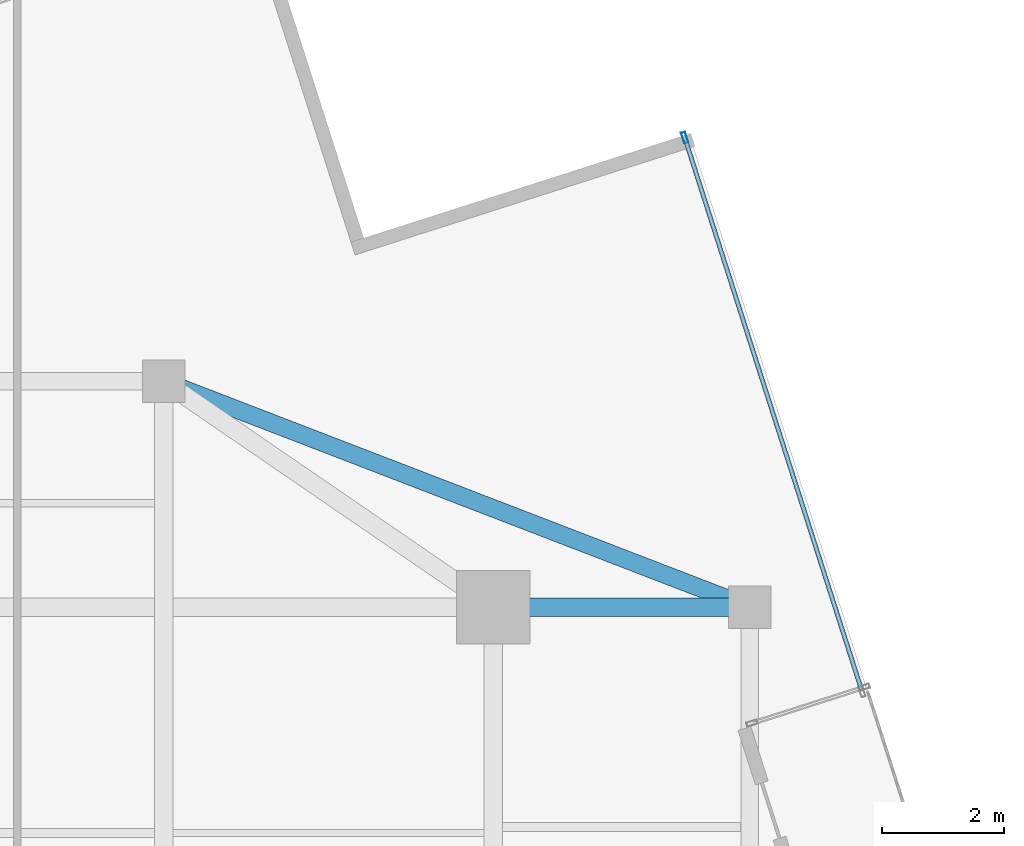
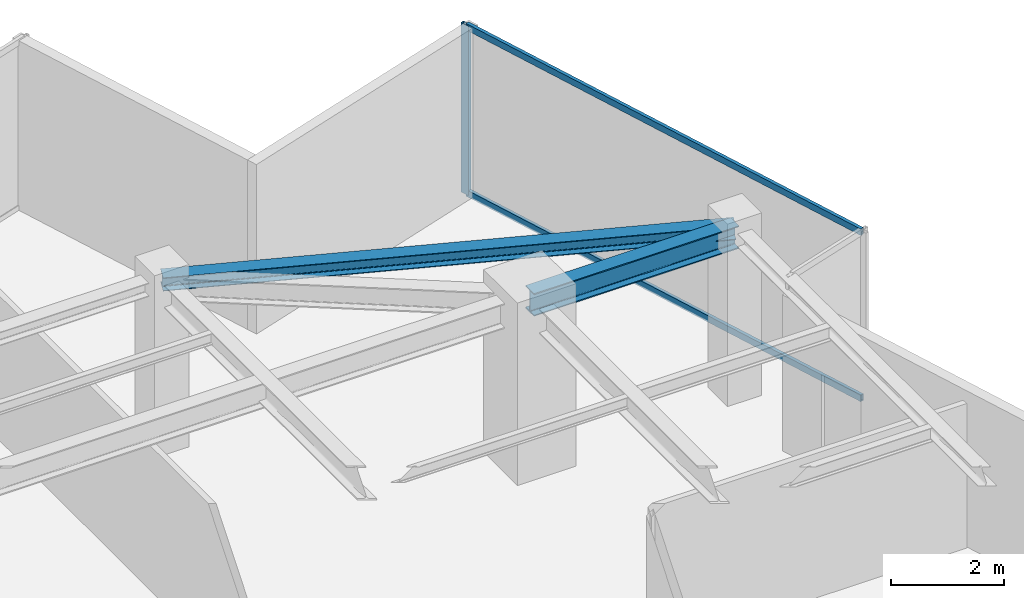
# One storey, part 16 of 21: 3 members, 2 beams, 1 element without a shape of its own.
"""IFC4 building model written with IfcOpenShell, lengths in metres."""

import ifcopenshell
import ifcopenshell.guid

model = None  # the IFC model being written
_history = None  # IfcOwnerHistory: only IFC2X3 demands one
_inside = {}  # id of a spatial element -> (the spatial element, [elements in it])
_under = {}  # id of a project, library or spatial element -> (it, [spatial elements below it])
_declared = {}  # id of a project -> (the project, [libraries it declares])
_typed = {}  # id of a type object -> (the type object, [elements of that type])
_made_of = {}  # id of a material, layer set ... -> (it, [elements and type objects made of it])


def new_model(schema):
    """Start an empty IFC model of exactly this schema.

    Asked for "IFC4X3", IfcOpenShell would pick the latest addendum, in which some entities
    have other attributes; the version numbers below select the first issue.
    IFC2X3 requires an IfcOwnerHistory on every rooted entity: one is made here for all.
    """
    global model, _history
    if schema == "IFC4X3":
        model = ifcopenshell.file(schema_version=(4, 3, 0, 0))
    else:
        model = ifcopenshell.file(schema=schema)
    _inside.clear()
    _under.clear()
    _declared.clear()
    _typed.clear()
    _made_of.clear()
    _history = None
    if model.schema == "IFC2X3":
        org = make("IfcOrganization", Name="unknown")
        user = make(
            "IfcPersonAndOrganization",
            ThePerson=make("IfcPerson", FamilyName="unknown"),
            TheOrganization=org,
        )
        app = make(
            "IfcApplication",
            ApplicationDeveloper=org,
            Version="unknown",
            ApplicationFullName="unknown",
            ApplicationIdentifier="unknown",
        )
        _history = make(
            "IfcOwnerHistory",
            OwningUser=user,
            OwningApplication=app,
            ChangeAction="ADDED",
            CreationDate=0,
        )
    return model


def make(cls, **values):
    """One entity of the class cls with the attributes given. An attribute that is None is left unset."""
    return model.create_entity(
        cls, **{name: value for name, value in values.items() if value is not None}
    )


def rooted(cls, **values):
    """An entity with a GlobalId (a new one), such as an element, a storey or a relation."""
    return make(cls, GlobalId=ifcopenshell.guid.new(), OwnerHistory=_history, **values)


def si_unit(unit_type, name, prefix=None):
    """IfcSIUnit, for example si_unit("LENGTHUNIT", "METRE", prefix="MILLI")."""
    return make("IfcSIUnit", UnitType=unit_type, Prefix=prefix, Name=name)


def assignment(units):
    """IfcUnitAssignment: the units of a project."""
    return None if units is None else make("IfcUnitAssignment", Units=units)


def point(xyz):
    """IfcCartesianPoint."""
    return None if xyz is None else make("IfcCartesianPoint", Coordinates=xyz)


def direction(xyz):
    """IfcDirection."""
    return None if xyz is None else make("IfcDirection", DirectionRatios=xyz)


def frame(location, z_axis=None, x_axis=None):
    """IfcAxis2Placement3D, a coordinate frame: its origin and axes. An axis left out is left unset."""
    return make(
        "IfcAxis2Placement3D",
        Location=point(location),
        Axis=direction(z_axis),
        RefDirection=direction(x_axis),
    )


def frame_2d(location, x_axis=None):
    """IfcAxis2Placement2D, a coordinate frame in the plane: its origin and x axis."""
    return make(
        "IfcAxis2Placement2D", Location=point(location), RefDirection=direction(x_axis)
    )


def origin():
    """The frame at (0, 0, 0) with its axes left unset."""
    return frame((0.0, 0.0, 0.0))


def origin_2d():
    """The frame at (0, 0) in the plane with its x axis left unset."""
    return frame_2d((0.0, 0.0))


def place(relative_to, where):
    """IfcLocalPlacement: puts the frame where relative to a parent placement (None: the world)."""
    return make(
        "IfcLocalPlacement", PlacementRelTo=relative_to, RelativePlacement=where
    )


def context(
    kind, dimensions, precision=None, world=None, true_north=None, identifier=None
):
    """IfcGeometricRepresentationContext, for example the 3D "Model" context."""
    return make(
        "IfcGeometricRepresentationContext",
        ContextIdentifier=identifier,
        ContextType=kind,
        CoordinateSpaceDimension=dimensions,
        Precision=precision,
        WorldCoordinateSystem=world,
        TrueNorth=true_north,
    )


def subcontext(parent, identifier, kind, view, scale=None):
    """IfcGeometricRepresentationSubContext, for example "Body" below "Model"."""
    return make(
        "IfcGeometricRepresentationSubContext",
        ContextIdentifier=identifier,
        ContextType=kind,
        ParentContext=parent,
        TargetScale=scale,
        TargetView=view,
    )


def project(units=None, contexts=None):
    """IfcProject with its units and contexts."""
    return rooted(
        "IfcProject",
        Name="project",
        RepresentationContexts=contexts,
        UnitsInContext=assignment(units),
    )


def spatial(cls, under=None, at=None, **own):
    """A site, building, storey or space (cls), placed at a placement, below another one or the project."""
    s = rooted(cls, ObjectPlacement=at, **own)
    if under is not None:
        _under.setdefault(under.id(), (under, []))[1].append(s)
    return s


def profile(cls, at=None, kind="AREA", **sizes):
    """A parametric profile (cls). Its sizes go by their IFC names, for example OverallWidth=200.0."""
    return make(cls, ProfileType=kind, Position=at, **sizes)


def hollow_rectangle(**sizes):
    """IfcRectangleHollowProfileDef."""
    return profile("IfcRectangleHollowProfileDef", **sizes)


def i_section(**sizes):
    """IfcIShapeProfileDef."""
    return profile("IfcIShapeProfileDef", **sizes)


def extrude(swept, where, along, depth):
    """IfcExtrudedAreaSolid: the profile swept, set in the frame where, extruded along a direction by depth."""
    return make(
        "IfcExtrudedAreaSolid",
        SweptArea=swept,
        Position=where,
        ExtrudedDirection=direction(along),
        Depth=depth,
    )


def shape(context_of_items, identifier, shape_type, items):
    """IfcShapeRepresentation: the items that make up one representation, for example the "Body"."""
    return make(
        "IfcShapeRepresentation",
        ContextOfItems=context_of_items,
        RepresentationIdentifier=identifier,
        RepresentationType=shape_type,
        Items=items,
    )


def source(mapping_origin, context_of_items, identifier, shape_type, items):
    """IfcRepresentationMap: a shape defined once, which mapped items show again and again."""
    return make(
        "IfcRepresentationMap",
        MappingOrigin=mapping_origin,
        MappedRepresentation=shape(context_of_items, identifier, shape_type, items),
    )


def transform(
    local_origin,
    x_axis=None,
    y_axis=None,
    z_axis=None,
    scale=None,
    scale2=None,
    scale3=None,
    uniform=True,
):
    """IfcCartesianTransformationOperator3D, or its non-uniform kind. x_axis, y_axis, z_axis: its Axis1, 2, 3."""
    if uniform:
        return make(
            "IfcCartesianTransformationOperator3D",
            Axis1=direction(x_axis),
            Axis2=direction(y_axis),
            LocalOrigin=point(local_origin),
            Scale=scale,
            Axis3=direction(z_axis),
        )
    return make(
        "IfcCartesianTransformationOperator3DnonUniform",
        Axis1=direction(x_axis),
        Axis2=direction(y_axis),
        LocalOrigin=point(local_origin),
        Scale=scale,
        Axis3=direction(z_axis),
        Scale2=scale2,
        Scale3=scale3,
    )


def mapped(mapping_source, mapping_target):
    """IfcMappedItem: shows the shape of a source again, moved by a transform."""
    return make(
        "IfcMappedItem", MappingSource=mapping_source, MappingTarget=mapping_target
    )


def material(Name=None, Category=None):
    """IfcMaterial."""
    return make("IfcMaterial", Name=Name, Category=Category)


def material_profile(
    of_material, cross_section, Name=None, Category=None, Priority=None
):
    """IfcMaterialProfile: a cross section and its material."""
    return make(
        "IfcMaterialProfile",
        Name=Name,
        Material=of_material,
        Profile=cross_section,
        Priority=Priority,
        Category=Category,
    )


def profile_set(profiles, Name=None, composite=None):
    """IfcMaterialProfileSet."""
    return make(
        "IfcMaterialProfileSet",
        Name=Name,
        MaterialProfiles=profiles,
        CompositeProfile=composite,
    )


def made_of(thing, what):
    """Note that an element or type object is made of a material, layer set ...; save() writes the relation."""
    if what is not None:
        _made_of.setdefault(what.id(), (what, []))[1].append(thing)
    return thing


def type_object(cls, material=None, **own):
    """A type object (cls), such as IfcWallType, which elements share."""
    return made_of(rooted(cls, **own), material)


def type_shapes(of_type, sources):
    """Give a type object the sources (RepresentationMaps) that its elements show as mapped items."""
    of_type.RepresentationMaps = sources


def element(
    cls,
    number,
    at=None,
    inside=None,
    cuts=None,
    type_object=None,
    material=None,
    context=None,
    identifier="Body",
    shape_type=None,
    held_by="IfcProductDefinitionShape",
    body=None,
    shapes=None,
    **own,
):
    """One element of the class cls, such as IfcWall. Its Tag is "e" and its number.

    at: its placement. inside: the storey or other place that contains it. cuts: it is an
    opening in that element (IfcRelVoidsElement). A single representation is given by context,
    identifier, shape_type and body (its items); several are given by shapes. held_by: the class
    of the entity that holds the representations. save() writes the other relations.
    """
    e = rooted(cls, Tag="e%d" % number, ObjectPlacement=at, **own)
    if body is not None:
        shapes = [shape(context, identifier, shape_type, body)]
    if shapes is not None:
        e.Representation = make(held_by, Representations=shapes)
    if inside is not None:
        _inside.setdefault(inside.id(), (inside, []))[1].append(e)
    if cuts is not None:
        rooted(
            "IfcRelVoidsElement", RelatingBuildingElement=cuts, RelatedOpeningElement=e
        )
    if type_object is not None:
        _typed.setdefault(type_object.id(), (type_object, []))[1].append(e)
    return made_of(e, material)


def aggregate(whole, parts):
    """IfcRelAggregates: a whole, such as a stair, and the parts it consists of."""
    return rooted("IfcRelAggregates", RelatingObject=whole, RelatedObjects=parts)


def save(model, path):
    """Write the relations noted so far, then the file.

    IfcRelAggregates (storeys below a building ...), IfcRelContainedInSpatialStructure (elements
    in a storey), IfcRelDefinesByType, IfcRelAssociatesMaterial and IfcRelDeclares: one each for
    every whole, place, type object, material and project.
    """
    for whole, parts in _under.values():
        aggregate(whole, parts)
    for where, things in _inside.values():
        rooted(
            "IfcRelContainedInSpatialStructure",
            RelatedElements=things,
            RelatingStructure=where,
        )
    for kind, things in _typed.values():
        rooted("IfcRelDefinesByType", RelatedObjects=things, RelatingType=kind)
    for what, things in _made_of.values():
        rooted("IfcRelAssociatesMaterial", RelatedObjects=things, RelatingMaterial=what)
    for by, libraries in _declared.values():
        rooted("IfcRelDeclares", RelatingContext=by, RelatedDefinitions=libraries)
    model.write(path)


model = new_model("IFC4")

# Units and contexts
model_context = context("Model", 3, precision=1e-05, world=origin(), true_north=direction((0.0, 1.0)))
body_context = subcontext(model_context, "Body", "Model", "MODEL_VIEW")
ifc_project = project(units=[si_unit("LENGTHUNIT", "METRE"), si_unit("AREAUNIT", "SQUARE_METRE"), si_unit("VOLUMEUNIT", "CUBIC_METRE"), si_unit("PLANEANGLEUNIT", "RADIAN"), si_unit("MASSUNIT", "GRAM", prefix="KILO")], contexts=[model_context])

# Site, building, storey
site_placement = place(None, origin())
site = spatial("IfcSite", under=ifc_project, at=site_placement, CompositionType="ELEMENT")
building_placement = place(site_placement, origin())
building = spatial("IfcBuilding", under=site, at=building_placement, Name="Krantzveldt Concourse Tower", CompositionType="ELEMENT")
storey_placement = place(building_placement, frame((0.0, 0.0, 339.550048828125)))
storey = spatial("IfcBuildingStorey", under=building, at=storey_placement, Name="L83", CompositionType="ELEMENT", Elevation=339.550048828125)

# Beams
ifc_material_1 = material(Name="Steel S355JR", Category="steel")
ifc_material_profile_1 = material_profile(ifc_material_1, i_section(OverallWidth=0.300048828125, OverallDepth=0.489990234375, WebThickness=0.011962890625, FlangeThickness=0.02294921875, FilletRadius=0.027099609375, at=origin_2d()), Name="Steel S355JR", Category="steel")
ifc_profile_set_1 = profile_set([ifc_material_profile_1], Name="Steel S355JR - HEA 500")
beam_type_1 = type_object("IfcBeamType", Name="BM-B-HEA500", PredefinedType="BEAM", material=ifc_profile_set_1)
shared_shape_1 = source(origin(), body_context, "Body", "SweptSolid", [
    extrude(i_section(OverallWidth=0.300048828125, OverallDepth=0.489990234375, WebThickness=0.011962890625, FlangeThickness=0.02294921875, FilletRadius=0.027099609375, at=origin_2d()), origin(), (0.0, 0.0, 1.0), 4.199951171875),
])
type_shapes(beam_type_1, [shared_shape_1])
beam_1_placement = place(storey_placement, frame((46.800048828125, 37.5, 3.425048828125), z_axis=(1.0, 0.0, 0.0), x_axis=(0.0, 1.0, 0.0)))
element("IfcBeam", 1, at=beam_1_placement, inside=storey, type_object=beam_type_1, Name="L83 Tower Girder BR-RR3", PredefinedType="BEAM", context=body_context, shape_type="MappedRepresentation", body=[
    mapped(shared_shape_1, transform((0.0, 0.0, 0.0), x_axis=(1.0, 0.0, 0.0), y_axis=(0.0, 1.0, 0.0), z_axis=(0.0, 0.0, 1.0), scale=1.0)),
])
ifc_material_profile_2 = material_profile(ifc_material_1, i_section(OverallWidth=0.2900390625, OverallDepth=0.2900390625, WebThickness=0.008544921875, FlangeThickness=0.013916015625, FilletRadius=0.027099609375, at=origin_2d()), Name="Steel S355JR", Category="steel")
ifc_profile_set_2 = profile_set([ifc_material_profile_2], Name="Steel S355JR - HEA 300")
beam_type_2 = type_object("IfcBeamType", Name="BM-SP-HEA300", PredefinedType="SPANDREL", material=ifc_profile_set_2)
shared_shape_2 = source(origin(), body_context, "Body", "SweptSolid", [
    extrude(i_section(OverallWidth=0.2900390625, OverallDepth=0.2900390625, WebThickness=0.008544921875, FlangeThickness=0.013916015625, FilletRadius=0.027099609375, at=origin_2d()), origin(), (0.0, 0.0, 1.0), 10.288330078125),
])
type_shapes(beam_type_2, [shared_shape_2])
beam_2_placement = place(storey_placement, frame((41.39990234375, 41.199951171875, 3.52490234375), z_axis=(0.933097690408, -0.359622997257, 0.0), x_axis=(0.359622997257, 0.933097690408, 0.0)))
element("IfcBeam", 2, at=beam_2_placement, inside=storey, type_object=beam_type_2, Name="L83 Tower Girder SP-R05", PredefinedType="SPANDREL", context=body_context, shape_type="MappedRepresentation", body=[
    mapped(shared_shape_2, transform((0.0, 0.0, 0.0), x_axis=(1.0, 0.0, 0.0), y_axis=(0.0, 1.0, 0.0), z_axis=(0.0, 0.0, 1.0), scale=1.0)),
])

# Curtain wall, members
ifc_material_2 = material(Name="Anodised aluminium 6063-T6", Category="aluminium")
curtain_wall_type = type_object("IfcCurtainWallType", Name="CW4", PredefinedType="USERDEFINED", material=ifc_material_2)
curtain_wall_placement = place(storey_placement, origin())
curtain_wall = element("IfcCurtainWall", 3, at=curtain_wall_placement, inside=storey, type_object=curtain_wall_type, Name="CW-L83-F14", ObjectType="UNITISED CURTAIN WALL", PredefinedType="USERDEFINED")
ifc_material_profile_3 = material_profile(ifc_material_2, hollow_rectangle(XDim=0.070068359375, YDim=0.179931640625, WallThickness=0.0048828125, at=origin_2d()), Name="Anodised aluminium 6063-T6", Category="aluminium")
ifc_profile_set_3 = profile_set([ifc_material_profile_3], Name="Anodised aluminium 6063-T6 - ALU-MULL 180x70x5")
member_type_1 = type_object("IfcMemberType", Name="CW-MUL-180", PredefinedType="MULLION", material=ifc_profile_set_3)
shared_shape_3 = source(origin(), body_context, "Body", "SweptSolid", [
    extrude(hollow_rectangle(XDim=0.070068359375, YDim=0.179931640625, WallThickness=0.0048828125, at=origin_2d()), origin(), (0.0, 0.0, 1.0), 3.669921875),
])
type_shapes(member_type_1, [shared_shape_3])
member_1_placement = place(storey_placement, frame((49.935302734375, 45.19384765625, 0.0), z_axis=(0.0, 0.0, 1.0), x_axis=(-0.952395720224, -0.304864547135, 0.0)))
member_1 = element("IfcMember", 4, at=member_1_placement, type_object=member_type_1, Name="CW-Z56 mullion 2", PredefinedType="MULLION", context=body_context, shape_type="MappedRepresentation", body=[
    mapped(shared_shape_3, transform((0.0, 0.0, 0.0), x_axis=(1.0, 0.0, 0.0), y_axis=(0.0, 1.0, 0.0), z_axis=(0.0, 0.0, 1.0), scale=1.0)),
])
ifc_material_profile_4 = material_profile(ifc_material_2, hollow_rectangle(XDim=0.070068359375, YDim=0.139892578125, WallThickness=0.0048828125, at=origin_2d()), Name="Anodised aluminium 6063-T6", Category="aluminium")
ifc_profile_set_4 = profile_set([ifc_material_profile_4], Name="Anodised aluminium 6063-T6 - ALU-TRAN 140x70x5")
member_type_2 = type_object("IfcMemberType", Name="CW-TRN-150", PredefinedType="USERDEFINED", material=ifc_profile_set_4)
shared_shape_4 = source(origin(), body_context, "Body", "SweptSolid", [
    extrude(hollow_rectangle(XDim=0.070068359375, YDim=0.139892578125, WallThickness=0.0048828125, at=origin_2d()), origin(), (0.0, 0.0, 1.0), 9.4599609375),
])
type_shapes(member_type_2, [shared_shape_4])
member_2_placement = place(storey_placement, frame((52.830078125, 36.15087890625, 0.034912109375), z_axis=(-0.304870305116, 0.952393877059, 0.0), x_axis=(-0.952393877059, -0.304870305116, 0.0)))
member_2 = element("IfcMember", 5, at=member_2_placement, type_object=member_type_2, Name="CW-Z56 transom 1.1", ObjectType="TRANSOM", PredefinedType="USERDEFINED", context=body_context, shape_type="MappedRepresentation", body=[
    mapped(shared_shape_4, transform((0.0, 0.0, 0.0), x_axis=(1.0, 0.0, 0.0), y_axis=(0.0, 1.0, 0.0), z_axis=(0.0, 0.0, 1.0), scale=1.0)),
])
member_3_placement = place(storey_placement, frame((52.830078125, 36.15087890625, 3.635009765625), z_axis=(-0.304870305116, 0.952393877059, 0.0), x_axis=(-0.952393877059, -0.304870305116, 0.0)))
member_3 = element("IfcMember", 6, at=member_3_placement, type_object=member_type_2, Name="CW-Z56 transom 1.2", ObjectType="TRANSOM", PredefinedType="USERDEFINED", context=body_context, shape_type="MappedRepresentation", body=[
    mapped(shared_shape_4, transform((0.0, 0.0, 0.0), x_axis=(1.0, 0.0, 0.0), y_axis=(0.0, 1.0, 0.0), z_axis=(0.0, 0.0, 1.0), scale=1.0)),
])
aggregate(curtain_wall, [member_1, member_2, member_3])

save(model, "model.ifc")
